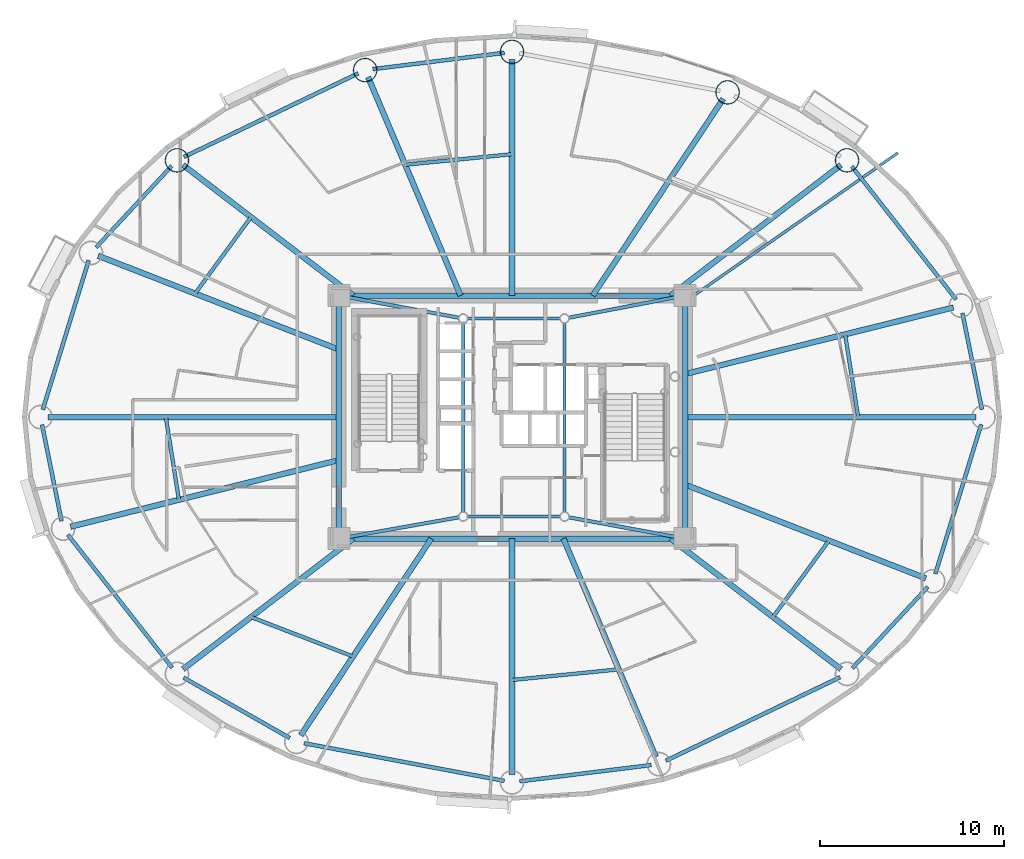
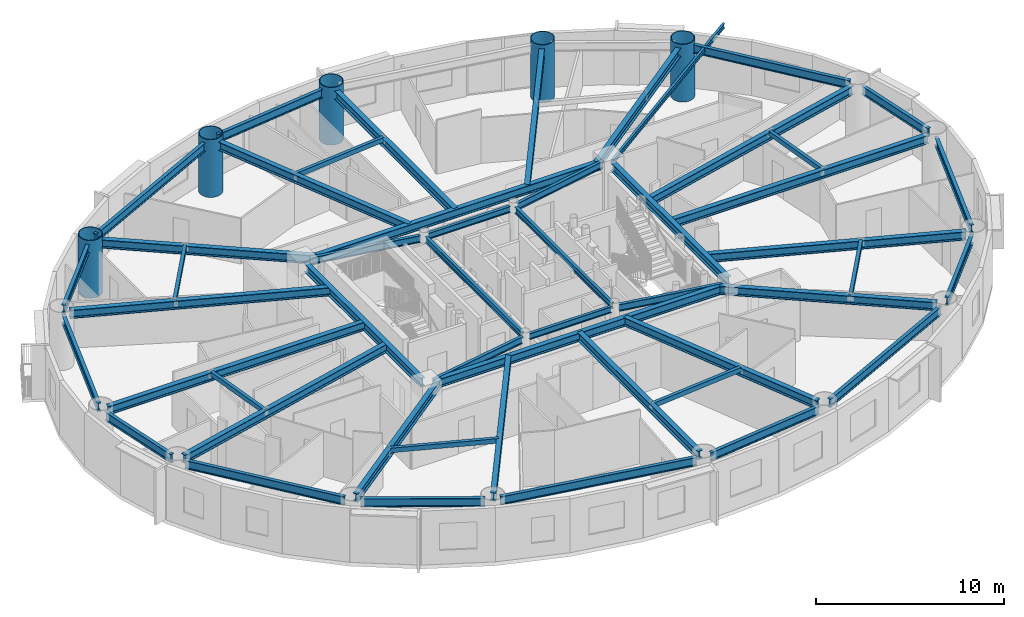
# One storey, part 3 of 21: 50 beams, 5 columns.
"""IFC4 building model written with IfcOpenShell, lengths in metres."""

from ifc_helpers import new_model, si_unit, direction, frame, origin, origin_2d, place, context, subcontext, project, spatial, hollow_rectangle, hollow_circle, i_section, extrude, material, material_profile, profile_set, type_object, element, save


model = new_model("IFC4")

# Units and contexts
model_context = context("Model", 3, precision=1e-05, world=origin(), true_north=direction((0.0, 1.0)))
body_context = subcontext(model_context, "Body", "Model", "MODEL_VIEW")
ifc_project = project(units=[si_unit("LENGTHUNIT", "METRE"), si_unit("AREAUNIT", "SQUARE_METRE"), si_unit("VOLUMEUNIT", "CUBIC_METRE"), si_unit("PLANEANGLEUNIT", "RADIAN"), si_unit("MASSUNIT", "GRAM", prefix="KILO")], contexts=[model_context])

# Site, building, storey
site_placement = place(None, origin())
site = spatial("IfcSite", under=ifc_project, at=site_placement, CompositionType="ELEMENT")
building_placement = place(site_placement, origin())
building = spatial("IfcBuilding", under=site, at=building_placement, Name="Linh Dai School and Residence Tower", CompositionType="ELEMENT")
storey_placement = place(building_placement, frame((0.0, 0.0, 156.14990234375)))
storey = spatial("IfcBuildingStorey", under=building, at=storey_placement, Name="L37", CompositionType="ELEMENT", Elevation=156.14990234375)

# Columns
ifc_material = material(Name="Structural Steel S355JR", Category="steel")
ifc_material_profile_1 = material_profile(ifc_material, hollow_circle(Radius=0.64990234375, WallThickness=0.0400390625, at=origin_2d()), Name="CHS 1300x40")
ifc_profile_set_1 = profile_set([ifc_material_profile_1], Name="Structural Steel S355JR")
column_type = type_object("IfcColumnType", Name="COL-MC4", PredefinedType="COLUMN", material=ifc_profile_set_1)
for number, where, z_axis, x_axis, name in (
    (1, (54.1923828125, 40.941650390625, 0.0), (0.0, 0.0, 1.0), (1.0, 0.0, 0.0), "L37 Perimeter CFT Mega-Column MC03"),
    (2, (47.70556640625, 44.630859375, 0.0), (0.0, 0.0, 1.0), (1.0, 0.0, 0.0), "L37 Perimeter CFT Mega-Column MC04"),
    (3, (36.0, 46.830078125, 0.0), (0.0, 0.0, 1.0), (1.0, 0.0, 0.0), "L37 Perimeter CFT Mega-Column MC05"),
    (4, (28.026611328125, 45.84130859375, 0.0), (0.0, 0.0, 1.0), (1.0, 0.0, 0.0), "L37 Perimeter CFT Mega-Column MC06"),
    (5, (17.8076171875, 40.941650390625, 0.0), (0.0, 0.0, 1.0), (1.0, 0.0, 0.0), "L37 Perimeter CFT Mega-Column MC07"),
):
    element("IfcColumn", number, at=place(storey_placement, frame(where, z_axis=z_axis, x_axis=x_axis)), inside=storey, type_object=column_type, Name=name, PredefinedType="COLUMN", context=body_context, shape_type="SweptSolid", body=[
        extrude(hollow_circle(Radius=0.64990234375, WallThickness=0.0400390625, at=origin_2d()), origin(), (0.0, 0.0, 1.0), 3.75),
    ])

# Beams
ifc_material_profile_2 = material_profile(ifc_material, i_section(OverallWidth=0.14990234375, OverallDepth=0.300048828125, WebThickness=0.007080078125, FlangeThickness=0.0107421875, at=origin_2d()), Name="IPE 300")
ifc_profile_set_2 = profile_set([ifc_material_profile_2], Name="Structural Steel S355JR")
beam_type_1 = type_object("IfcBeamType", Name="BM-BALC-CANT", PredefinedType="BEAM", material=ifc_profile_set_2)
beam_1_placement = place(storey_placement, frame((45.39990234375, 33.270263671875, 3.35009765625), z_axis=(0.819647683793, 0.572867938056, 0.0), x_axis=(-0.572867938056, 0.819647683793, 0.0)))
element("IfcBeam", 6, at=beam_1_placement, inside=storey, type_object=beam_type_1, Name="L38 Balcony Continuous Cantilever Beam 05", PredefinedType="BEAM", context=body_context, shape_type="SweptSolid", body=[
    extrude(i_section(OverallWidth=0.14990234375, OverallDepth=0.300048828125, WebThickness=0.007080078125, FlangeThickness=0.0107421875, at=origin_2d()), origin(), (0.0, 0.0, 1.0), 14.089599609375),
])
ifc_material_profile_3 = material_profile(ifc_material, hollow_rectangle(XDim=0.199951171875, YDim=0.300048828125, WallThickness=0.010009765625, at=origin_2d()), Name="RHS 300x200x10")
ifc_profile_set_3 = profile_set([ifc_material_profile_3], Name="Structural Steel S355JR")
beam_type_2 = type_object("IfcBeamType", Name="BM-BX3", PredefinedType="BEAM", material=ifc_profile_set_3)
beam_2_placement = place(storey_placement, frame((54.795166015625, 27.0048828125, 3.35009765625), z_axis=(-0.15630517468, 0.987708809502, 0.0), x_axis=(-0.987708809502, -0.15630517468, 0.0)))
element("IfcBeam", 7, at=beam_2_placement, inside=storey, type_object=beam_type_2, Name="L37 Secondary Circumferential Floor Beam 01", PredefinedType="BEAM", context=body_context, shape_type="SweptSolid", body=[
    extrude(hollow_rectangle(XDim=0.199951171875, YDim=0.300048828125, WallThickness=0.010009765625, at=origin_2d()), origin(), (0.0, 0.0, 1.0), 4.537353515625),
])
beam_3_placement = place(storey_placement, frame((35.9951171875, 41.27294921875, 3.35009765625), z_axis=(-0.995143022353, -0.098439651878, 0.0), x_axis=(0.098439651878, -0.995143022353, 0.0)))
element("IfcBeam", 8, at=beam_3_placement, inside=storey, type_object=beam_type_2, Name="L37 Secondary Circumferential Floor Beam 03", PredefinedType="BEAM", context=body_context, shape_type="SweptSolid", body=[
    extrude(hollow_rectangle(XDim=0.199951171875, YDim=0.300048828125, WallThickness=0.010009765625, at=origin_2d()), origin(), (0.0, 0.0, 1.0), 5.81591796875),
])
beam_4_placement = place(storey_placement, frame((21.828125, 37.854248046875, 3.35009765625), z_axis=(-0.59077809598, -0.806834085367, 0.0), x_axis=(0.806834085367, -0.59077809598, 0.0)))
element("IfcBeam", 9, at=beam_4_placement, inside=storey, type_object=beam_type_2, Name="L37 Secondary Circumferential Floor Beam 04", PredefinedType="BEAM", context=body_context, shape_type="SweptSolid", body=[
    extrude(hollow_rectangle(XDim=0.199951171875, YDim=0.300048828125, WallThickness=0.010009765625, at=origin_2d()), origin(), (0.0, 0.0, 1.0), 5.134765625),
])
beam_5_placement = place(storey_placement, frame((17.204833984375, 26.9951171875, 3.35009765625), z_axis=(0.15630517468, -0.987708809502, 0.0), x_axis=(0.987708809502, 0.15630517468, 0.0)))
element("IfcBeam", 10, at=beam_5_placement, inside=storey, type_object=beam_type_2, Name="L37 Secondary Circumferential Floor Beam 05", PredefinedType="BEAM", context=body_context, shape_type="SweptSolid", body=[
    extrude(hollow_rectangle(XDim=0.199951171875, YDim=0.300048828125, WallThickness=0.010009765625, at=origin_2d()), origin(), (0.0, 0.0, 1.0), 4.537353515625),
])
beam_6_placement = place(storey_placement, frame((21.8359375, 16.139892578125, 3.35009765625), z_axis=(0.932827710026, -0.360322721193, 0.0), x_axis=(0.360322721193, 0.932827710026, 0.0)))
element("IfcBeam", 11, at=beam_6_placement, inside=storey, type_object=beam_type_2, Name="L37 Secondary Circumferential Floor Beam 06", PredefinedType="BEAM", context=body_context, shape_type="SweptSolid", body=[
    extrude(hollow_rectangle(XDim=0.199951171875, YDim=0.300048828125, WallThickness=0.010009765625, at=origin_2d()), origin(), (0.0, 0.0, 1.0), 5.927978515625),
])
beam_7_placement = place(storey_placement, frame((36.0048828125, 12.72705078125, 3.35009765625), z_axis=(0.995143022353, 0.098439651878, 0.0), x_axis=(-0.098439651878, 0.995143022353, 0.0)))
element("IfcBeam", 12, at=beam_7_placement, inside=storey, type_object=beam_type_2, Name="L37 Secondary Circumferential Floor Beam 07", PredefinedType="BEAM", context=body_context, shape_type="SweptSolid", body=[
    extrude(hollow_rectangle(XDim=0.199951171875, YDim=0.300048828125, WallThickness=0.010009765625, at=origin_2d()), origin(), (0.0, 0.0, 1.0), 5.81591796875),
])
beam_8_placement = place(storey_placement, frame((50.171875, 16.145751953125, 3.35009765625), z_axis=(0.59077809598, 0.806834085367, 0.0), x_axis=(-0.806834085367, 0.59077809598, 0.0)))
element("IfcBeam", 13, at=beam_8_placement, inside=storey, type_object=beam_type_2, Name="L37 Secondary Circumferential Floor Beam 08", PredefinedType="BEAM", context=body_context, shape_type="SweptSolid", body=[
    extrude(hollow_rectangle(XDim=0.199951171875, YDim=0.300048828125, WallThickness=0.010009765625, at=origin_2d()), origin(), (0.0, 0.0, 1.0), 5.134765625),
])
ifc_material_profile_4 = material_profile(ifc_material, i_section(OverallWidth=0.2099609375, OverallDepth=0.550048828125, WebThickness=0.010986328125, FlangeThickness=0.01708984375, FilletRadius=0.02392578125, at=origin_2d()), Name="IPE 550")
ifc_profile_set_4 = profile_set([ifc_material_profile_4], Name="Structural Steel S355JR")
beam_type_3 = type_object("IfcBeamType", Name="BM-RB55", PredefinedType="BEAM", material=ifc_profile_set_4)
beam_9_placement = place(storey_placement, frame((61.5166015625, 27.41162109375, 3.22509765625), z_axis=(-0.198420723955, 0.980116940117, 0.0), x_axis=(-0.980116940117, -0.198420723955, 0.0)))
element("IfcBeam", 14, at=beam_9_placement, inside=storey, type_object=beam_type_3, Name="L37 Perimeter Elliptical Ring Beam 01", PredefinedType="BEAM", context=body_context, shape_type="SweptSolid", body=[
    extrude(i_section(OverallWidth=0.2099609375, OverallDepth=0.550048828125, WebThickness=0.010986328125, FlangeThickness=0.01708984375, FilletRadius=0.02392578125, at=origin_2d()), origin(), (0.0, 0.0, 1.0), 5.33642578125),
])
beam_10_placement = place(storey_placement, frame((60.115478515625, 33.38427734375, 3.22509765625), z_axis=(-0.616852281883, 0.787078942887, 0.0), x_axis=(-0.787078942887, -0.616852281883, 0.0)))
element("IfcBeam", 15, at=beam_10_placement, inside=storey, type_object=beam_type_3, Name="L37 Perimeter Elliptical Ring Beam 02", PredefinedType="BEAM", context=body_context, shape_type="SweptSolid", body=[
    extrude(i_section(OverallWidth=0.2099609375, OverallDepth=0.550048828125, WebThickness=0.010986328125, FlangeThickness=0.01708984375, FilletRadius=0.02392578125, at=origin_2d()), origin(), (0.0, 0.0, 1.0), 9.181884765625),
])
beam_11_placement = place(storey_placement, frame((35.583251953125, 46.7783203125, 3.22509765625), z_axis=(-0.992400597975, -0.123048986741, 0.0), x_axis=(0.123048986741, -0.992400597975, 0.0)))
element("IfcBeam", 16, at=beam_11_placement, inside=storey, type_object=beam_type_3, Name="L37 Perimeter Elliptical Ring Beam 05", PredefinedType="BEAM", context=body_context, shape_type="SweptSolid", body=[
    extrude(i_section(OverallWidth=0.2099609375, OverallDepth=0.550048828125, WebThickness=0.010986328125, FlangeThickness=0.01708984375, FilletRadius=0.02392578125, at=origin_2d()), origin(), (0.0, 0.0, 1.0), 7.1943359375),
])
beam_12_placement = place(storey_placement, frame((27.64794921875, 45.659912109375, 3.22509765625), z_axis=(-0.901708141823, -0.432345263614, 0.0), x_axis=(0.432345263614, -0.901708141823, 0.0)))
element("IfcBeam", 17, at=beam_12_placement, inside=storey, type_object=beam_type_3, Name="L37 Perimeter Elliptical Ring Beam 06", PredefinedType="BEAM", context=body_context, shape_type="SweptSolid", body=[
    extrude(i_section(OverallWidth=0.2099609375, OverallDepth=0.550048828125, WebThickness=0.010986328125, FlangeThickness=0.01708984375, FilletRadius=0.02392578125, at=origin_2d()), origin(), (0.0, 0.0, 1.0), 10.4931640625),
])
beam_13_placement = place(storey_placement, frame((17.521728515625, 40.6337890625, 3.22509765625), z_axis=(-0.680378035197, -0.732861330145, 0.0), x_axis=(0.732861330145, -0.680378035197, 0.0)))
element("IfcBeam", 18, at=beam_13_placement, inside=storey, type_object=beam_type_3, Name="L37 Perimeter Elliptical Ring Beam 07", PredefinedType="BEAM", context=body_context, shape_type="SweptSolid", body=[
    extrude(i_section(OverallWidth=0.2099609375, OverallDepth=0.550048828125, WebThickness=0.010986328125, FlangeThickness=0.01708984375, FilletRadius=0.02392578125, at=origin_2d()), origin(), (0.0, 0.0, 1.0), 6.024169921875),
])
beam_14_placement = place(storey_placement, frame((13.01416015625, 35.509765625, 3.22509765625), z_axis=(-0.29363681283, -0.955917058196, 0.0), x_axis=(0.955917058196, -0.29363681283, 0.0)))
element("IfcBeam", 19, at=beam_14_placement, inside=storey, type_object=beam_type_3, Name="L37 Perimeter Elliptical Ring Beam 08", PredefinedType="BEAM", context=body_context, shape_type="SweptSolid", body=[
    extrude(i_section(OverallWidth=0.2099609375, OverallDepth=0.550048828125, WebThickness=0.010986328125, FlangeThickness=0.01708984375, FilletRadius=0.02392578125, at=origin_2d()), origin(), (0.0, 0.0, 1.0), 8.482421875),
])
beam_15_placement = place(storey_placement, frame((10.4833984375, 26.58837890625, 3.22509765625), z_axis=(0.198420723955, -0.980116940117, 0.0), x_axis=(0.980116940117, 0.198420723955, 0.0)))
element("IfcBeam", 20, at=beam_15_placement, inside=storey, type_object=beam_type_3, Name="L37 Perimeter Elliptical Ring Beam 09", PredefinedType="BEAM", context=body_context, shape_type="SweptSolid", body=[
    extrude(i_section(OverallWidth=0.2099609375, OverallDepth=0.550048828125, WebThickness=0.010986328125, FlangeThickness=0.01708984375, FilletRadius=0.02392578125, at=origin_2d()), origin(), (0.0, 0.0, 1.0), 5.33642578125),
])
beam_16_placement = place(storey_placement, frame((11.884521484375, 20.61572265625, 3.22509765625), z_axis=(0.616852281883, -0.787078942887, 0.0), x_axis=(0.787078942887, 0.616852281883, 0.0)))
element("IfcBeam", 21, at=beam_16_placement, inside=storey, type_object=beam_type_3, Name="L37 Perimeter Elliptical Ring Beam 10", PredefinedType="BEAM", context=body_context, shape_type="SweptSolid", body=[
    extrude(i_section(OverallWidth=0.2099609375, OverallDepth=0.550048828125, WebThickness=0.010986328125, FlangeThickness=0.01708984375, FilletRadius=0.02392578125, at=origin_2d()), origin(), (0.0, 0.0, 1.0), 9.181884765625),
])
beam_17_placement = place(storey_placement, frame((18.172607421875, 12.8505859375, 3.22509765625), z_axis=(0.869262164011, -0.49435138335, 0.0), x_axis=(0.49435138335, 0.869262164011, 0.0)))
element("IfcBeam", 22, at=beam_17_placement, inside=storey, type_object=beam_type_3, Name="L37 Perimeter Elliptical Ring Beam 11", PredefinedType="BEAM", context=body_context, shape_type="SweptSolid", body=[
    extrude(i_section(OverallWidth=0.2099609375, OverallDepth=0.550048828125, WebThickness=0.010986328125, FlangeThickness=0.01708984375, FilletRadius=0.02392578125, at=origin_2d()), origin(), (0.0, 0.0, 1.0), 6.62255859375),
])
beam_18_placement = place(storey_placement, frame((24.707275390625, 9.29150390625, 3.22509765625), z_axis=(0.98280721278, -0.184634727255, 0.0), x_axis=(0.184634727255, 0.98280721278, 0.0)))
element("IfcBeam", 23, at=beam_18_placement, inside=storey, type_object=beam_type_3, Name="L37 Perimeter Elliptical Ring Beam 12", PredefinedType="BEAM", context=body_context, shape_type="SweptSolid", body=[
    extrude(i_section(OverallWidth=0.2099609375, OverallDepth=0.550048828125, WebThickness=0.010986328125, FlangeThickness=0.01708984375, FilletRadius=0.02392578125, at=origin_2d()), origin(), (0.0, 0.0, 1.0), 11.0703125),
])
beam_19_placement = place(storey_placement, frame((36.416748046875, 7.2216796875, 3.22509765625), z_axis=(0.992400597975, 0.123048986741, 0.0), x_axis=(-0.123048986741, 0.992400597975, 0.0)))
element("IfcBeam", 24, at=beam_19_placement, inside=storey, type_object=beam_type_3, Name="L37 Perimeter Elliptical Ring Beam 13", PredefinedType="BEAM", context=body_context, shape_type="SweptSolid", body=[
    extrude(i_section(OverallWidth=0.2099609375, OverallDepth=0.550048828125, WebThickness=0.010986328125, FlangeThickness=0.01708984375, FilletRadius=0.02392578125, at=origin_2d()), origin(), (0.0, 0.0, 1.0), 7.1943359375),
])
beam_20_placement = place(storey_placement, frame((44.35205078125, 8.340087890625, 3.22509765625), z_axis=(0.901708141823, 0.432345263614, 0.0), x_axis=(-0.432345263614, 0.901708141823, 0.0)))
element("IfcBeam", 25, at=beam_20_placement, inside=storey, type_object=beam_type_3, Name="L37 Perimeter Elliptical Ring Beam 14", PredefinedType="BEAM", context=body_context, shape_type="SweptSolid", body=[
    extrude(i_section(OverallWidth=0.2099609375, OverallDepth=0.550048828125, WebThickness=0.010986328125, FlangeThickness=0.01708984375, FilletRadius=0.02392578125, at=origin_2d()), origin(), (0.0, 0.0, 1.0), 10.4931640625),
])
beam_21_placement = place(storey_placement, frame((54.478271484375, 13.3662109375, 3.22509765625), z_axis=(0.680378035197, 0.732861330145, 0.0), x_axis=(-0.732861330145, 0.680378035197, 0.0)))
element("IfcBeam", 26, at=beam_21_placement, inside=storey, type_object=beam_type_3, Name="L37 Perimeter Elliptical Ring Beam 15", PredefinedType="BEAM", context=body_context, shape_type="SweptSolid", body=[
    extrude(i_section(OverallWidth=0.2099609375, OverallDepth=0.550048828125, WebThickness=0.010986328125, FlangeThickness=0.01708984375, FilletRadius=0.02392578125, at=origin_2d()), origin(), (0.0, 0.0, 1.0), 6.024169921875),
])
beam_22_placement = place(storey_placement, frame((58.98583984375, 18.490234375, 3.22509765625), z_axis=(0.29363681283, 0.955917058196, 0.0), x_axis=(-0.955917058196, 0.29363681283, 0.0)))
element("IfcBeam", 27, at=beam_22_placement, inside=storey, type_object=beam_type_3, Name="L37 Perimeter Elliptical Ring Beam 16", PredefinedType="BEAM", context=body_context, shape_type="SweptSolid", body=[
    extrude(i_section(OverallWidth=0.2099609375, OverallDepth=0.550048828125, WebThickness=0.010986328125, FlangeThickness=0.01708984375, FilletRadius=0.02392578125, at=origin_2d()), origin(), (0.0, 0.0, 1.0), 8.482421875),
])
ifc_material_profile_5 = material_profile(ifc_material, i_section(OverallWidth=0.300048828125, OverallDepth=0.550048828125, WebThickness=0.014892578125, FlangeThickness=0.029052734375, FilletRadius=0.027099609375, at=origin_2d()), Name="HEB 550")
ifc_profile_set_5 = profile_set([ifc_material_profile_5], Name="Structural Steel S355JR")
beam_type_4 = type_object("IfcBeamType", Name="BM-RG55", PredefinedType="BEAM", material=ifc_profile_set_5)
beam_23_placement = place(storey_placement, frame((27.02001953125, 20.39990234375, 3.22509765625), z_axis=(1.0, 0.0, 0.0), x_axis=(0.0, 1.0, 0.0)))
element("IfcBeam", 28, at=beam_23_placement, inside=storey, type_object=beam_type_4, Name="L37 Core Perimeter Coupling Girder 1", PredefinedType="BEAM", context=body_context, shape_type="SweptSolid", body=[
    extrude(i_section(OverallWidth=0.300048828125, OverallDepth=0.550048828125, WebThickness=0.014892578125, FlangeThickness=0.029052734375, FilletRadius=0.027099609375, at=origin_2d()), origin(), (0.0, 0.0, 1.0), 17.9599609375),
])
beam_24_placement = place(storey_placement, frame((45.39990234375, 20.820068359375, 3.22509765625), z_axis=(0.0, 1.0, 0.0), x_axis=(-1.0, 0.0, 0.0)))
element("IfcBeam", 29, at=beam_24_placement, inside=storey, type_object=beam_type_4, Name="L37 Core Perimeter Coupling Girder 2", PredefinedType="BEAM", context=body_context, shape_type="SweptSolid", body=[
    extrude(i_section(OverallWidth=0.300048828125, OverallDepth=0.550048828125, WebThickness=0.014892578125, FlangeThickness=0.029052734375, FilletRadius=0.027099609375, at=origin_2d()), origin(), (0.0, 0.0, 1.0), 12.35986328125),
])
beam_25_placement = place(storey_placement, frame((44.97998046875, 33.60009765625, 3.22509765625), z_axis=(-1.0, 0.0, 0.0), x_axis=(0.0, -1.0, 0.0)))
element("IfcBeam", 30, at=beam_25_placement, inside=storey, type_object=beam_type_4, Name="L37 Core Perimeter Coupling Girder 3", PredefinedType="BEAM", context=body_context, shape_type="SweptSolid", body=[
    extrude(i_section(OverallWidth=0.300048828125, OverallDepth=0.550048828125, WebThickness=0.014892578125, FlangeThickness=0.029052734375, FilletRadius=0.027099609375, at=origin_2d()), origin(), (0.0, 0.0, 1.0), 17.9599609375),
])
beam_26_placement = place(storey_placement, frame((26.60009765625, 33.179931640625, 3.22509765625), z_axis=(0.0, -1.0, 0.0), x_axis=(1.0, 0.0, 0.0)))
element("IfcBeam", 31, at=beam_26_placement, inside=storey, type_object=beam_type_4, Name="L37 Core Perimeter Coupling Girder 4", PredefinedType="BEAM", context=body_context, shape_type="SweptSolid", body=[
    extrude(i_section(OverallWidth=0.300048828125, OverallDepth=0.550048828125, WebThickness=0.014892578125, FlangeThickness=0.029052734375, FilletRadius=0.027099609375, at=origin_2d()), origin(), (0.0, 0.0, 1.0), 12.35986328125),
])
beam_27_placement = place(storey_placement, frame((45.39990234375, 27.0, 3.22509765625), z_axis=(1.0, 0.0, 0.0), x_axis=(0.0, 1.0, 0.0)))
element("IfcBeam", 32, at=beam_27_placement, inside=storey, type_object=beam_type_4, Name="L37 Primary Radial Floor Girder 01", PredefinedType="BEAM", context=body_context, shape_type="SweptSolid", body=[
    extrude(i_section(OverallWidth=0.300048828125, OverallDepth=0.550048828125, WebThickness=0.014892578125, FlangeThickness=0.029052734375, FilletRadius=0.027099609375, at=origin_2d()), origin(), (0.0, 0.0, 1.0), 15.780029296875),
])
beam_28_placement = place(storey_placement, frame((45.39990234375, 29.33447265625, 3.22509765625), z_axis=(0.970514508209, 0.24104271272, 0.0), x_axis=(-0.24104271272, 0.970514508209, 0.0)))
element("IfcBeam", 33, at=beam_28_placement, inside=storey, type_object=beam_type_4, Name="L37 Primary Radial Floor Girder 02", PredefinedType="BEAM", context=body_context, shape_type="SweptSolid", body=[
    extrude(i_section(OverallWidth=0.300048828125, OverallDepth=0.550048828125, WebThickness=0.014892578125, FlangeThickness=0.029052734375, FilletRadius=0.027099609375, at=origin_2d()), origin(), (0.0, 0.0, 1.0), 15.009521484375),
])
beam_29_placement = place(storey_placement, frame((44.6123046875, 33.60009765625, 3.22509765625), z_axis=(0.793732831925, 0.608266546445, 0.0), x_axis=(-0.608266546445, 0.793732831925, 0.0)))
element("IfcBeam", 34, at=beam_29_placement, inside=storey, type_object=beam_type_4, Name="L37 Primary Radial Floor Girder 03", PredefinedType="BEAM", context=body_context, shape_type="SweptSolid", body=[
    extrude(i_section(OverallWidth=0.300048828125, OverallDepth=0.550048828125, WebThickness=0.014892578125, FlangeThickness=0.029052734375, FilletRadius=0.027099609375, at=origin_2d()), origin(), (0.0, 0.0, 1.0), 11.64990234375),
])
beam_30_placement = place(storey_placement, frame((40.3818359375, 33.60009765625, 3.22509765625), z_axis=(0.553117176317, 0.833103468522, 0.0), x_axis=(-0.833103468522, 0.553117176317, 0.0)))
element("IfcBeam", 35, at=beam_30_placement, inside=storey, type_object=beam_type_4, Name="L37 Primary Radial Floor Girder 04", PredefinedType="BEAM", context=body_context, shape_type="SweptSolid", body=[
    extrude(i_section(OverallWidth=0.300048828125, OverallDepth=0.550048828125, WebThickness=0.014892578125, FlangeThickness=0.029052734375, FilletRadius=0.027099609375, at=origin_2d()), origin(), (0.0, 0.0, 1.0), 12.820556640625),
])
beam_31_placement = place(storey_placement, frame((36.0, 33.60009765625, 3.22509765625), z_axis=(0.0, 1.0, 0.0), x_axis=(-1.0, 0.0, 0.0)))
element("IfcBeam", 36, at=beam_31_placement, inside=storey, type_object=beam_type_4, Name="L37 Primary Radial Floor Girder 05", PredefinedType="BEAM", context=body_context, shape_type="SweptSolid", body=[
    extrude(i_section(OverallWidth=0.300048828125, OverallDepth=0.550048828125, WebThickness=0.014892578125, FlangeThickness=0.029052734375, FilletRadius=0.027099609375, at=origin_2d()), origin(), (0.0, 0.0, 1.0), 12.809814453125),
])
beam_32_placement = place(storey_placement, frame((33.20703125, 33.60009765625, 3.22509765625), z_axis=(-0.389721661447, 0.920932693849, 0.0), x_axis=(-0.920932693849, -0.389721661447, 0.0)))
element("IfcBeam", 37, at=beam_32_placement, inside=storey, type_object=beam_type_4, Name="L37 Primary Radial Floor Girder 06", PredefinedType="BEAM", context=body_context, shape_type="SweptSolid", body=[
    extrude(i_section(OverallWidth=0.300048828125, OverallDepth=0.550048828125, WebThickness=0.014892578125, FlangeThickness=0.029052734375, FilletRadius=0.027099609375, at=origin_2d()), origin(), (0.0, 0.0, 1.0), 12.872314453125),
])
beam_33_placement = place(storey_placement, frame((27.3876953125, 33.60009765625, 3.22509765625), z_axis=(-0.793732831925, 0.608266546445, 0.0), x_axis=(-0.608266546445, -0.793732831925, 0.0)))
element("IfcBeam", 38, at=beam_33_placement, inside=storey, type_object=beam_type_4, Name="L37 Primary Radial Floor Girder 07", PredefinedType="BEAM", context=body_context, shape_type="SweptSolid", body=[
    extrude(i_section(OverallWidth=0.300048828125, OverallDepth=0.550048828125, WebThickness=0.014892578125, FlangeThickness=0.029052734375, FilletRadius=0.027099609375, at=origin_2d()), origin(), (0.0, 0.0, 1.0), 11.64990234375),
])
beam_34_placement = place(storey_placement, frame((26.60009765625, 30.663818359375, 3.22509765625), z_axis=(-0.931722873254, 0.363170053081, 0.0), x_axis=(-0.363170053081, -0.931722873254, 0.0)))
element("IfcBeam", 39, at=beam_34_placement, inside=storey, type_object=beam_type_4, Name="L37 Primary Radial Floor Girder 08", PredefinedType="BEAM", context=body_context, shape_type="SweptSolid", body=[
    extrude(i_section(OverallWidth=0.300048828125, OverallDepth=0.550048828125, WebThickness=0.014892578125, FlangeThickness=0.029052734375, FilletRadius=0.027099609375, at=origin_2d()), origin(), (0.0, 0.0, 1.0), 14.029052734375),
])
beam_35_placement = place(storey_placement, frame((26.60009765625, 27.0, 3.22509765625), z_axis=(-1.0, 0.0, 0.0), x_axis=(0.0, -1.0, 0.0)))
element("IfcBeam", 40, at=beam_35_placement, inside=storey, type_object=beam_type_4, Name="L37 Primary Radial Floor Girder 09", PredefinedType="BEAM", context=body_context, shape_type="SweptSolid", body=[
    extrude(i_section(OverallWidth=0.300048828125, OverallDepth=0.550048828125, WebThickness=0.014892578125, FlangeThickness=0.029052734375, FilletRadius=0.027099609375, at=origin_2d()), origin(), (0.0, 0.0, 1.0), 15.780029296875),
])
beam_36_placement = place(storey_placement, frame((26.60009765625, 24.66552734375, 3.22509765625), z_axis=(-0.970514508209, -0.24104271272, 0.0), x_axis=(0.24104271272, -0.970514508209, 0.0)))
element("IfcBeam", 41, at=beam_36_placement, inside=storey, type_object=beam_type_4, Name="L37 Primary Radial Floor Girder 10", PredefinedType="BEAM", context=body_context, shape_type="SweptSolid", body=[
    extrude(i_section(OverallWidth=0.300048828125, OverallDepth=0.550048828125, WebThickness=0.014892578125, FlangeThickness=0.029052734375, FilletRadius=0.027099609375, at=origin_2d()), origin(), (0.0, 0.0, 1.0), 15.009521484375),
])
beam_37_placement = place(storey_placement, frame((27.3876953125, 20.39990234375, 3.22509765625), z_axis=(-0.793732831925, -0.608266546445, 0.0), x_axis=(0.608266546445, -0.793732831925, 0.0)))
element("IfcBeam", 42, at=beam_37_placement, inside=storey, type_object=beam_type_4, Name="L37 Primary Radial Floor Girder 11", PredefinedType="BEAM", context=body_context, shape_type="SweptSolid", body=[
    extrude(i_section(OverallWidth=0.300048828125, OverallDepth=0.550048828125, WebThickness=0.014892578125, FlangeThickness=0.029052734375, FilletRadius=0.027099609375, at=origin_2d()), origin(), (0.0, 0.0, 1.0), 11.64990234375),
])
beam_38_placement = place(storey_placement, frame((31.6181640625, 20.39990234375, 3.22509765625), z_axis=(-0.553117176317, -0.833103468522, 0.0), x_axis=(0.833103468522, -0.553117176317, 0.0)))
element("IfcBeam", 43, at=beam_38_placement, inside=storey, type_object=beam_type_4, Name="L37 Primary Radial Floor Girder 12", PredefinedType="BEAM", context=body_context, shape_type="SweptSolid", body=[
    extrude(i_section(OverallWidth=0.300048828125, OverallDepth=0.550048828125, WebThickness=0.014892578125, FlangeThickness=0.029052734375, FilletRadius=0.027099609375, at=origin_2d()), origin(), (0.0, 0.0, 1.0), 12.820556640625),
])
beam_39_placement = place(storey_placement, frame((36.0, 20.39990234375, 3.22509765625), z_axis=(0.0, -1.0, 0.0), x_axis=(1.0, 0.0, 0.0)))
element("IfcBeam", 44, at=beam_39_placement, inside=storey, type_object=beam_type_4, Name="L37 Primary Radial Floor Girder 13", PredefinedType="BEAM", context=body_context, shape_type="SweptSolid", body=[
    extrude(i_section(OverallWidth=0.300048828125, OverallDepth=0.550048828125, WebThickness=0.014892578125, FlangeThickness=0.029052734375, FilletRadius=0.027099609375, at=origin_2d()), origin(), (0.0, 0.0, 1.0), 12.809814453125),
])
beam_40_placement = place(storey_placement, frame((38.79296875, 20.39990234375, 3.22509765625), z_axis=(0.389721661447, -0.920932693849, 0.0), x_axis=(0.920932693849, 0.389721661447, 0.0)))
element("IfcBeam", 45, at=beam_40_placement, inside=storey, type_object=beam_type_4, Name="L37 Primary Radial Floor Girder 14", PredefinedType="BEAM", context=body_context, shape_type="SweptSolid", body=[
    extrude(i_section(OverallWidth=0.300048828125, OverallDepth=0.550048828125, WebThickness=0.014892578125, FlangeThickness=0.029052734375, FilletRadius=0.027099609375, at=origin_2d()), origin(), (0.0, 0.0, 1.0), 12.872314453125),
])
beam_41_placement = place(storey_placement, frame((44.6123046875, 20.39990234375, 3.22509765625), z_axis=(0.793732831925, -0.608266546445, 0.0), x_axis=(0.608266546445, 0.793732831925, 0.0)))
element("IfcBeam", 46, at=beam_41_placement, inside=storey, type_object=beam_type_4, Name="L37 Primary Radial Floor Girder 15", PredefinedType="BEAM", context=body_context, shape_type="SweptSolid", body=[
    extrude(i_section(OverallWidth=0.300048828125, OverallDepth=0.550048828125, WebThickness=0.014892578125, FlangeThickness=0.029052734375, FilletRadius=0.027099609375, at=origin_2d()), origin(), (0.0, 0.0, 1.0), 11.64990234375),
])
beam_42_placement = place(storey_placement, frame((45.39990234375, 23.336181640625, 3.22509765625), z_axis=(0.931722873254, -0.363170053081, 0.0), x_axis=(0.363170053081, 0.931722873254, 0.0)))
element("IfcBeam", 47, at=beam_42_placement, inside=storey, type_object=beam_type_4, Name="L37 Primary Radial Floor Girder 16", PredefinedType="BEAM", context=body_context, shape_type="SweptSolid", body=[
    extrude(i_section(OverallWidth=0.300048828125, OverallDepth=0.550048828125, WebThickness=0.014892578125, FlangeThickness=0.029052734375, FilletRadius=0.027099609375, at=origin_2d()), origin(), (0.0, 0.0, 1.0), 14.029052734375),
])
ifc_material_profile_6 = material_profile(ifc_material, i_section(OverallWidth=0.179931640625, OverallDepth=0.39990234375, WebThickness=0.008544921875, FlangeThickness=0.013427734375, FilletRadius=0.02099609375, at=origin_2d()), Name="IPE 400")
ifc_profile_set_6 = profile_set([ifc_material_profile_6], Name="Structural Steel S355JR")
beam_type_5 = type_object("IfcBeamType", Name="BM-SB40", PredefinedType="BEAM", material=ifc_profile_set_6)
beam_43_placement = place(storey_placement, frame((33.573974609375, 21.60009765625, 3.300048828125), z_axis=(1.0, 0.0, 0.0), x_axis=(0.0, 1.0, 0.0)))
element("IfcBeam", 48, at=beam_43_placement, inside=storey, type_object=beam_type_5, Name="L37 Core Mast Pier Tie Beam 1", PredefinedType="BEAM", context=body_context, shape_type="SweptSolid", body=[
    extrude(i_section(OverallWidth=0.179931640625, OverallDepth=0.39990234375, WebThickness=0.008544921875, FlangeThickness=0.013427734375, FilletRadius=0.02099609375, at=origin_2d()), origin(), (0.0, 0.0, 1.0), 5.052001953125),
])
beam_44_placement = place(storey_placement, frame((38.85009765625, 21.823974609375, 3.300048828125), z_axis=(0.0, 1.0, 0.0), x_axis=(-1.0, 0.0, 0.0)))
element("IfcBeam", 49, at=beam_44_placement, inside=storey, type_object=beam_type_5, Name="L37 Core Mast Pier Tie Beam 2", PredefinedType="BEAM", context=body_context, shape_type="SweptSolid", body=[
    extrude(i_section(OverallWidth=0.179931640625, OverallDepth=0.39990234375, WebThickness=0.008544921875, FlangeThickness=0.013427734375, FilletRadius=0.02099609375, at=origin_2d()), origin(), (0.0, 0.0, 1.0), 10.302001953125),
])
beam_45_placement = place(storey_placement, frame((38.6259765625, 32.35009765625, 3.300048828125), z_axis=(-1.0, 0.0, 0.0), x_axis=(0.0, -1.0, 0.0)))
element("IfcBeam", 50, at=beam_45_placement, inside=storey, type_object=beam_type_5, Name="L37 Core Mast Pier Tie Beam 3", PredefinedType="BEAM", context=body_context, shape_type="SweptSolid", body=[
    extrude(i_section(OverallWidth=0.179931640625, OverallDepth=0.39990234375, WebThickness=0.008544921875, FlangeThickness=0.013427734375, FilletRadius=0.02099609375, at=origin_2d()), origin(), (0.0, 0.0, 1.0), 5.052001953125),
])
beam_46_placement = place(storey_placement, frame((33.35009765625, 32.1259765625, 3.300048828125), z_axis=(0.0, -1.0, 0.0), x_axis=(1.0, 0.0, 0.0)))
element("IfcBeam", 51, at=beam_46_placement, inside=storey, type_object=beam_type_5, Name="L37 Core Mast Pier Tie Beam 4", PredefinedType="BEAM", context=body_context, shape_type="SweptSolid", body=[
    extrude(i_section(OverallWidth=0.179931640625, OverallDepth=0.39990234375, WebThickness=0.008544921875, FlangeThickness=0.013427734375, FilletRadius=0.02099609375, at=origin_2d()), origin(), (0.0, 0.0, 1.0), 10.302001953125),
])
ifc_material_profile_7 = material_profile(ifc_material, i_section(OverallWidth=0.18994140625, OverallDepth=0.449951171875, WebThickness=0.009521484375, FlangeThickness=0.0146484375, FilletRadius=0.02099609375, at=origin_2d()), Name="IPE 450")
ifc_profile_set_7 = profile_set([ifc_material_profile_7], Name="Structural Steel S355JR")
beam_type_6 = type_object("IfcBeamType", Name="BM-SB45", PredefinedType="BEAM", material=ifc_profile_set_7)
beam_47_placement = place(storey_placement, frame((27.013427734375, 20.4736328125, 3.275146484375), z_axis=(0.984565969371, 0.175013862185, 0.0), x_axis=(-0.175013862185, 0.984565969371, 0.0)))
element("IfcBeam", 52, at=beam_47_placement, inside=storey, type_object=beam_type_6, Name="L37 Core Corner-to-Mast Pier Beam 1", PredefinedType="BEAM", context=body_context, shape_type="SweptSolid", body=[
    extrude(i_section(OverallWidth=0.18994140625, OverallDepth=0.449951171875, WebThickness=0.009521484375, FlangeThickness=0.0146484375, FilletRadius=0.02099609375, at=origin_2d()), origin(), (0.0, 0.0, 1.0), 6.2119140625),
])
beam_48_placement = place(storey_placement, frame((44.98681640625, 20.4755859375, 3.275146484375), z_axis=(-0.983627428732, 0.180213987933, 0.0), x_axis=(-0.180213987933, -0.983627428732, 0.0)))
element("IfcBeam", 53, at=beam_48_placement, inside=storey, type_object=beam_type_6, Name="L37 Core Corner-to-Mast Pier Beam 2", PredefinedType="BEAM", context=body_context, shape_type="SweptSolid", body=[
    extrude(i_section(OverallWidth=0.18994140625, OverallDepth=0.449951171875, WebThickness=0.009521484375, FlangeThickness=0.0146484375, FilletRadius=0.02099609375, at=origin_2d()), origin(), (0.0, 0.0, 1.0), 6.014892578125),
])
beam_49_placement = place(storey_placement, frame((44.987548828125, 33.521240234375, 3.275146484375), z_axis=(-0.982277147686, -0.187434268836, 0.0), x_axis=(0.187434268836, -0.982277147686, 0.0)))
element("IfcBeam", 54, at=beam_49_placement, inside=storey, type_object=beam_type_6, Name="L37 Core Corner-to-Mast Pier Beam 3", PredefinedType="BEAM", context=body_context, shape_type="SweptSolid", body=[
    extrude(i_section(OverallWidth=0.18994140625, OverallDepth=0.449951171875, WebThickness=0.009521484375, FlangeThickness=0.0146484375, FilletRadius=0.02099609375, at=origin_2d()), origin(), (0.0, 0.0, 1.0), 6.024169921875),
])
beam_50_placement = place(storey_placement, frame((27.012939453125, 33.5234375, 3.275146484375), z_axis=(0.983286429055, -0.182065368579, 0.0), x_axis=(0.182065368579, 0.983286429055, 0.0)))
element("IfcBeam", 55, at=beam_50_placement, inside=storey, type_object=beam_type_6, Name="L37 Core Corner-to-Mast Pier Beam 4", PredefinedType="BEAM", context=body_context, shape_type="SweptSolid", body=[
    extrude(i_section(OverallWidth=0.18994140625, OverallDepth=0.449951171875, WebThickness=0.009521484375, FlangeThickness=0.0146484375, FilletRadius=0.02099609375, at=origin_2d()), origin(), (0.0, 0.0, 1.0), 6.220703125),
])

save(model, "model.ifc")
